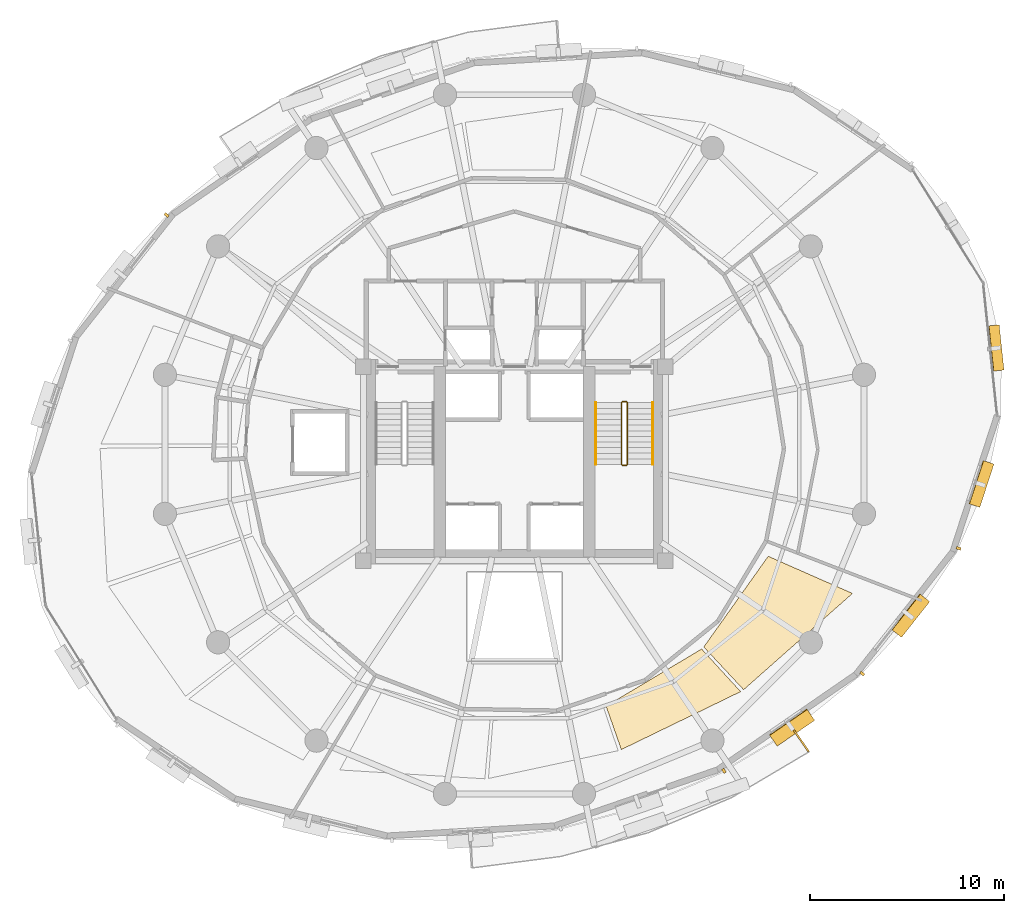
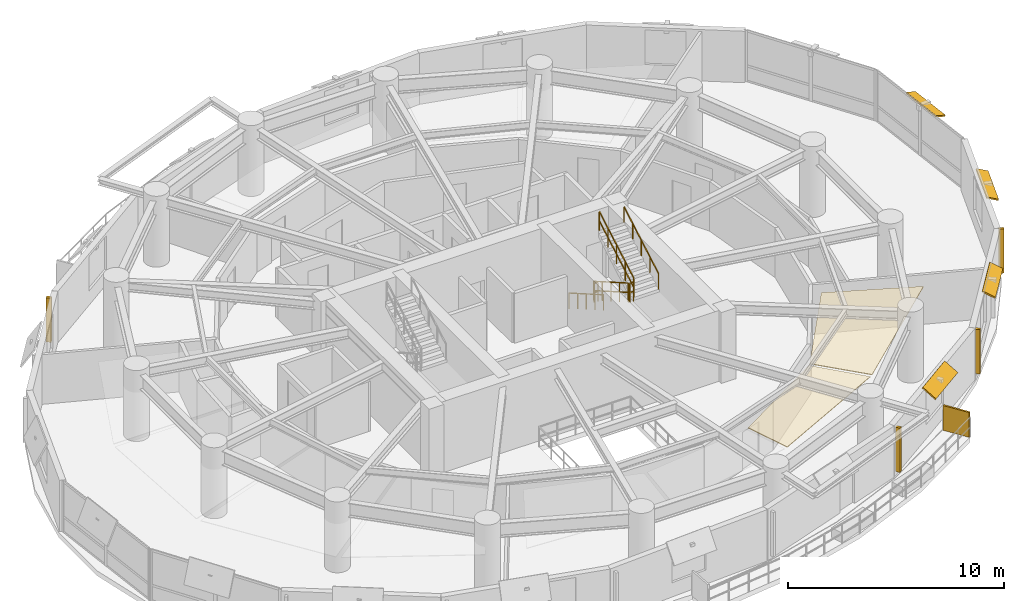
# One storey, part 14 of 15: 9 shading devices, 6 railings, 2 coverings.
"""IFC4 building model written with IfcOpenShell, lengths in metres."""

from ifc_helpers import new_model, si_unit, direction, frame, origin, origin_2d, place, context, subcontext, project, spatial, polyline, rectangle, outline, extrude, material, layer, layer_set, type_object, element, save


model = new_model("IFC4")

# Units and contexts
model_context = context("Model", 3, precision=1e-05, world=origin(), true_north=direction((0.0, 1.0)))
body_context = subcontext(model_context, "Body", "Model", "MODEL_VIEW")
ifc_project = project(units=[si_unit("LENGTHUNIT", "METRE"), si_unit("AREAUNIT", "SQUARE_METRE"), si_unit("VOLUMEUNIT", "CUBIC_METRE"), si_unit("PLANEANGLEUNIT", "RADIAN"), si_unit("MASSUNIT", "GRAM", prefix="KILO"), si_unit("THERMODYNAMICTEMPERATUREUNIT", "KELVIN"), si_unit("POWERUNIT", "WATT")], contexts=[model_context])

# Site, building, storey
site_placement = place(None, origin())
site = spatial("IfcSite", under=ifc_project, at=site_placement, CompositionType="ELEMENT")
building_placement = place(site_placement, origin())
building = spatial("IfcBuilding", under=site, at=building_placement, Name="Ocrelia Relay Tower", CompositionType="ELEMENT")
storey_placement = place(building_placement, frame((0.0, 0.0, 113.800048828125)))
storey = spatial("IfcBuildingStorey", under=building, at=storey_placement, Name="L26", CompositionType="ELEMENT", Elevation=113.800048828125)

# Coverings
ifc_material_1 = material(Name="Cleanroom metal-pan acoustic ceiling", Category="aluminium")
ifc_layer_1 = layer(ifc_material_1, 0.0400390625, Name="Cleanroom metal-pan acoustic ceiling")
ifc_layer_set_1 = layer_set([ifc_layer_1], Name="Cleanroom metal-pan acoustic ceiling")
covering_type = type_object("IfcCoveringType", Name="COV-CEIL-CLEAN", PredefinedType="CEILING", material=ifc_layer_set_1)
covering_1_placement = place(storey_placement, frame((0.0, 0.0, 2.719970703125)))
element("IfcCovering", 1, at=covering_1_placement, inside=storey, type_object=covering_type, Name="L26 Optical Switching Hall A Suspended Ceiling 3", PredefinedType="CEILING", context=body_context, shape_type="SweptSolid", body=[
    extrude(outline(polyline([(38.73291015625, 12.48486328125), (39.51953125, 10.23828125), (45.680419921875, 13.23095703125), (43.665283203125, 15.433837890625), (38.73291015625, 12.48486328125)])), origin(), (0.0, 0.0, 1.0), 0.0400390625),
])
covering_2_placement = place(storey_placement, frame((0.0, 0.0, 2.719970703125)))
element("IfcCovering", 2, at=covering_2_placement, inside=storey, type_object=covering_type, Name="L26 Optical Switching Hall A Suspended Ceiling 4", PredefinedType="CEILING", context=body_context, shape_type="SweptSolid", body=[
    extrude(outline(polyline([(43.775390625, 15.535400390625), (45.834716796875, 13.3310546875), (51.455078125, 18.301513671875), (47.102294921875, 20.22119140625), (43.775390625, 15.535400390625)])), origin(), (0.0, 0.0, 1.0), 0.0400390625),
])

# Railings
ifc_material_2 = material(Name="Steel S355 balustrade", Category="steel")
railing_type_1 = type_object("IfcRailingType", Name="RL-STAIR-GUARD", PredefinedType="GUARDRAIL", material=ifc_material_2)
railing_1_placement = place(storey_placement, frame((39.530029296875, 28.14990234375, 0.16650390625)))
element("IfcRailing", 3, at=railing_1_placement, inside=storey, type_object=railing_type_1, Name="L26 ST2 stair guard 1", PredefinedType="GUARDRAIL", context=body_context, shape_type="SweptSolid", body=[
    extrude(rectangle(XDim=0.048095703125, YDim=0.048095703125, at=origin_2d()), frame((0.0, 0.0, 1.076171875), z_axis=(0.0, -0.86699087805, 0.498324008431), x_axis=(1.0, 0.0, 0.0)), (0.0, 0.0, 1.0), 3.679443359375),
    extrude(rectangle(XDim=0.048095703125, YDim=0.048095703125, at=origin_2d()), frame((0.0, 0.0, 0.550048828125), z_axis=(0.0, -0.86699087805, 0.498324008431), x_axis=(1.0, 0.0, 0.0)), (0.0, 0.0, 1.0), 3.679443359375),
    extrude(rectangle(XDim=0.0419921875, YDim=0.0419921875, at=origin_2d()), origin(), (0.0, 0.0, 1.0), 1.052001953125),
    extrude(rectangle(XDim=0.0419921875, YDim=0.0419921875, at=origin_2d()), frame((0.0, -0.79736328125, 0.45849609375)), (0.0, 0.0, 1.0), 1.052001953125),
    extrude(rectangle(XDim=0.0419921875, YDim=0.0419921875, at=origin_2d()), frame((0.0, -1.594970703125, 0.916748046875)), (0.0, 0.0, 1.0), 1.052001953125),
    extrude(rectangle(XDim=0.0419921875, YDim=0.0419921875, at=origin_2d()), frame((0.0, -2.392578125, 1.375)), (0.0, 0.0, 1.0), 1.052001953125),
    extrude(rectangle(XDim=0.0419921875, YDim=0.0419921875, at=origin_2d()), frame((0.0, -3.18994140625, 1.83349609375)), (0.0, 0.0, 1.0), 1.052001953125),
])
railing_2_placement = place(storey_placement, frame((39.580078125, 24.909912109375, 2.0)))
element("IfcRailing", 4, at=railing_2_placement, inside=storey, type_object=railing_type_1, Name="L26 ST2 stair guard 2", PredefinedType="GUARDRAIL", context=body_context, shape_type="SweptSolid", body=[
    extrude(rectangle(XDim=0.048095703125, YDim=0.048095703125, at=origin_2d()), frame((0.0, 0.0, 1.076171875), z_axis=(1.0, 0.0, 0.0), x_axis=(0.0, 1.0, 0.0)), (0.0, 0.0, 1.0), 0.199951171875),
    extrude(rectangle(XDim=0.048095703125, YDim=0.048095703125, at=origin_2d()), frame((0.0, 0.0, 0.550048828125), z_axis=(1.0, 0.0, 0.0), x_axis=(0.0, 1.0, 0.0)), (0.0, 0.0, 1.0), 0.199951171875),
    extrude(rectangle(XDim=0.0419921875, YDim=0.0419921875, at=origin_2d()), origin(), (0.0, 0.0, 1.0), 1.052001953125),
    extrude(rectangle(XDim=0.0419921875, YDim=0.0419921875, at=origin_2d()), frame((0.199951171875, 0.0, 0.0)), (0.0, 0.0, 1.0), 1.052001953125),
])
railing_3_placement = place(storey_placement, frame((39.830078125, 24.9599609375, 2.16650390625)))
element("IfcRailing", 5, at=railing_3_placement, inside=storey, type_object=railing_type_1, Name="L26 ST2 stair guard 3", PredefinedType="GUARDRAIL", context=body_context, shape_type="SweptSolid", body=[
    extrude(rectangle(XDim=0.048095703125, YDim=0.048095703125, at=origin_2d()), frame((0.0, 0.0, 1.076171875), z_axis=(0.0, 0.86699087805, 0.498324008431), x_axis=(-1.0, 0.0, 0.0)), (0.0, 0.0, 1.0), 3.679443359375),
    extrude(rectangle(XDim=0.048095703125, YDim=0.048095703125, at=origin_2d()), frame((0.0, 0.0, 0.550048828125), z_axis=(0.0, 0.86699087805, 0.498324008431), x_axis=(-1.0, 0.0, 0.0)), (0.0, 0.0, 1.0), 3.679443359375),
    extrude(rectangle(XDim=0.0419921875, YDim=0.0419921875, at=origin_2d()), origin(), (0.0, 0.0, 1.0), 1.052001953125),
    extrude(rectangle(XDim=0.0419921875, YDim=0.0419921875, at=origin_2d()), frame((0.0, 0.79736328125, 0.45849609375)), (0.0, 0.0, 1.0), 1.052001953125),
    extrude(rectangle(XDim=0.0419921875, YDim=0.0419921875, at=origin_2d()), frame((0.0, 1.594970703125, 0.916748046875)), (0.0, 0.0, 1.0), 1.052001953125),
    extrude(rectangle(XDim=0.0419921875, YDim=0.0419921875, at=origin_2d()), frame((0.0, 2.392578125, 1.375)), (0.0, 0.0, 1.0), 1.052001953125),
    extrude(rectangle(XDim=0.0419921875, YDim=0.0419921875, at=origin_2d()), frame((0.0, 3.18994140625, 1.83349609375)), (0.0, 0.0, 1.0), 1.052001953125),
])
railing_4_placement = place(storey_placement, frame((39.580078125, 28.199951171875, 0.0)))
element("IfcRailing", 6, at=railing_4_placement, inside=storey, type_object=railing_type_1, Name="L26 ST2 stair guard 4", PredefinedType="GUARDRAIL", context=body_context, shape_type="SweptSolid", body=[
    extrude(rectangle(XDim=0.048095703125, YDim=0.048095703125, at=origin_2d()), frame((0.0, 0.0, 1.076171875), z_axis=(1.0, 0.0, 0.0), x_axis=(0.0, 1.0, 0.0)), (0.0, 0.0, 1.0), 0.199951171875),
    extrude(rectangle(XDim=0.048095703125, YDim=0.048095703125, at=origin_2d()), frame((0.0, 0.0, 0.550048828125), z_axis=(1.0, 0.0, 0.0), x_axis=(0.0, 1.0, 0.0)), (0.0, 0.0, 1.0), 0.199951171875),
    extrude(rectangle(XDim=0.0419921875, YDim=0.0419921875, at=origin_2d()), origin(), (0.0, 0.0, 1.0), 1.052001953125),
    extrude(rectangle(XDim=0.0419921875, YDim=0.0419921875, at=origin_2d()), frame((0.199951171875, 0.0, 0.0)), (0.0, 0.0, 1.0), 1.052001953125),
])
ifc_material_3 = material(Name="Steel S355 tubular handrail", Category="steel")
railing_type_2 = type_object("IfcRailingType", Name="RL-STAIR-HAND", PredefinedType="HANDRAIL", material=ifc_material_3)
railing_5_placement = place(storey_placement, frame((38.2099609375, 28.14990234375, 0.16650390625)))
element("IfcRailing", 7, at=railing_5_placement, inside=storey, type_object=railing_type_2, Name="L26 ST2 stair handrail 1", PredefinedType="HANDRAIL", context=body_context, shape_type="SweptSolid", body=[
    extrude(rectangle(XDim=0.048095703125, YDim=0.048095703125, at=origin_2d()), frame((0.0, 0.0, 0.8759765625), z_axis=(0.0, -0.86699087805, 0.498324008431), x_axis=(1.0, 0.0, 0.0)), (0.0, 0.0, 1.0), 3.679443359375),
    extrude(rectangle(XDim=0.0419921875, YDim=0.0419921875, at=origin_2d()), origin(), (0.0, 0.0, 1.0), 0.851806640625),
    extrude(rectangle(XDim=0.0419921875, YDim=0.0419921875, at=origin_2d()), frame((0.0, -0.79736328125, 0.45849609375)), (0.0, 0.0, 1.0), 0.851806640625),
    extrude(rectangle(XDim=0.0419921875, YDim=0.0419921875, at=origin_2d()), frame((0.0, -1.594970703125, 0.916748046875)), (0.0, 0.0, 1.0), 0.851806640625),
    extrude(rectangle(XDim=0.0419921875, YDim=0.0419921875, at=origin_2d()), frame((0.0, -2.392578125, 1.375)), (0.0, 0.0, 1.0), 0.851806640625),
    extrude(rectangle(XDim=0.0419921875, YDim=0.0419921875, at=origin_2d()), frame((0.0, -3.18994140625, 1.83349609375)), (0.0, 0.0, 1.0), 0.851806640625),
])
railing_6_placement = place(storey_placement, frame((41.14990234375, 24.9599609375, 2.16650390625)))
element("IfcRailing", 8, at=railing_6_placement, inside=storey, type_object=railing_type_2, Name="L26 ST2 stair handrail 2", PredefinedType="HANDRAIL", context=body_context, shape_type="SweptSolid", body=[
    extrude(rectangle(XDim=0.048095703125, YDim=0.048095703125, at=origin_2d()), frame((0.0, 0.0, 0.8759765625), z_axis=(0.0, 0.86699087805, 0.498324008431), x_axis=(-1.0, 0.0, 0.0)), (0.0, 0.0, 1.0), 3.679443359375),
    extrude(rectangle(XDim=0.0419921875, YDim=0.0419921875, at=origin_2d()), origin(), (0.0, 0.0, 1.0), 0.851806640625),
    extrude(rectangle(XDim=0.0419921875, YDim=0.0419921875, at=origin_2d()), frame((0.0, 0.79736328125, 0.45849609375)), (0.0, 0.0, 1.0), 0.851806640625),
    extrude(rectangle(XDim=0.0419921875, YDim=0.0419921875, at=origin_2d()), frame((0.0, 1.594970703125, 0.916748046875)), (0.0, 0.0, 1.0), 0.851806640625),
    extrude(rectangle(XDim=0.0419921875, YDim=0.0419921875, at=origin_2d()), frame((0.0, 2.392578125, 1.375)), (0.0, 0.0, 1.0), 0.851806640625),
    extrude(rectangle(XDim=0.0419921875, YDim=0.0419921875, at=origin_2d()), frame((0.0, 3.18994140625, 1.83349609375)), (0.0, 0.0, 1.0), 0.851806640625),
])

# Shading devices
ifc_material_4 = material(Name="Perforated oxide terracotta solar screen", Category="masonry")
ifc_layer_2 = layer(ifc_material_4, 0.090087890625, Name="Perforated oxide terracotta solar screen")
ifc_layer_set_2 = layer_set([ifc_layer_2], Name="Perforated oxide terracotta solar screen")
shading_device_type_1 = type_object("IfcShadingDeviceType", Name="SH-BALC-SCREEN", PredefinedType="USERDEFINED", material=ifc_layer_set_2)
shading_device_1_placement = place(storey_placement, frame((48.814208984375, 10.682861328125, 0.0), z_axis=(0.0, 0.0, 1.0), x_axis=(0.568631447089, -0.82259241267, 0.0)))
element("IfcShadingDevice", 9, at=shading_device_1_placement, inside=storey, type_object=shading_device_type_1, Name="L26 Balcony Perforated Terracotta Screen B2-2", ObjectType="SCREEN", PredefinedType="USERDEFINED", context=body_context, shape_type="SweptSolid", body=[
    extrude(rectangle(XDim=1.340087890625, YDim=0.090087890625, at=origin_2d()), origin(), (0.0, 0.0, 1.0), 1.39990234375),
])
ifc_material_5 = material(Name="Extruded oxide terracotta vertical baguette", Category="masonry")
shading_device_type_2 = type_object("IfcShadingDeviceType", Name="SH-TERR-BAGUETTE", PredefinedType="USERDEFINED", material=ifc_material_5)
for number, where, z_axis, x_axis, name in (
    (10, (16.0419921875, 37.836181640625, 0.199951171875), (0.0, 0.0, 1.0), (-0.61952171944, -0.78497951511, 0.0), "L26 Oxide Terracotta Vertical Baguette 07"),
    (11, (44.8154296875, 9.1435546875, 0.199951171875), (0.0, 0.0, 1.0), (0.823426792688, 0.567422520777, 0.0), "L26 Oxide Terracotta Vertical Baguette 15"),
    (12, (51.9580078125, 14.163818359375, 0.199951171875), (0.0, 0.0, 1.0), (0.61952171944, 0.78497951511, 0.0), "L26 Oxide Terracotta Vertical Baguette 16"),
    (13, (56.93701171875, 20.62939453125, 0.199951171875), (0.0, 0.0, 1.0), (0.309348521649, 0.950948732663, 0.0), "L26 Oxide Terracotta Vertical Baguette 17"),
):
    element("IfcShadingDevice", number, at=place(storey_placement, frame(where, z_axis=z_axis, x_axis=x_axis)), inside=storey, type_object=shading_device_type_2, Name=name, ObjectType="BAGUETTE", PredefinedType="USERDEFINED", context=body_context, shape_type="SweptSolid", body=[
        extrude(rectangle(XDim=0.139892578125, YDim=0.239990234375, at=origin_2d()), origin(), (0.0, 0.0, 1.0), 2.5),
    ])
ifc_material_6 = material(Name="Extruded oxide terracotta fin", Category="masonry")
ifc_layer_3 = layer(ifc_material_6, 0.080078125, Name="Extruded oxide terracotta fin")
ifc_layer_set_3 = layer_set([ifc_layer_3], Name="Extruded oxide terracotta fin")
shading_device_type_3 = type_object("IfcShadingDeviceType", Name="SH-VISOR-FIN-MED", PredefinedType="USERDEFINED", material=ifc_layer_set_3)
shading_device_2_placement = place(storey_placement, frame((48.317626953125, 11.398193359375, 2.706787109375), z_axis=(0.317462833222, -0.460692681355, 0.828842326905), x_axis=(0.823426792688, 0.567422520777, 0.0)))
element("IfcShadingDevice", 14, at=shading_device_2_placement, inside=storey, type_object=shading_device_type_3, Name="L26 Canted Terracotta Sun-Visor Fin 15", ObjectType="FIN", PredefinedType="USERDEFINED", context=body_context, shape_type="SweptSolid", body=[
    extrude(rectangle(XDim=2.35009765625, YDim=0.81689453125, at=origin_2d()), origin(), (0.0, 0.0, 1.0), 0.080078125),
])
ifc_layer_4 = layer(ifc_material_6, 0.080078125, Name="Extruded oxide terracotta fin")
ifc_layer_set_4 = layer_set([ifc_layer_4], Name="Extruded oxide terracotta fin")
shading_device_type_4 = type_object("IfcShadingDeviceType", Name="SH-VISOR-FIN-SHAL", PredefinedType="USERDEFINED", material=ifc_layer_set_4)
shading_device_3_placement = place(storey_placement, frame((54.445068359375, 17.166748046875, 2.7041015625), z_axis=(0.344851015864, -0.272163400683, 0.898334492373), x_axis=(0.61952171944, 0.78497951511, 0.0)))
element("IfcShadingDevice", 15, at=shading_device_3_placement, inside=storey, type_object=shading_device_type_4, Name="L26 Canted Terracotta Sun-Visor Fin 16", ObjectType="FIN", PredefinedType="USERDEFINED", context=body_context, shape_type="SweptSolid", body=[
    extrude(rectangle(XDim=2.35009765625, YDim=0.68408203125, at=origin_2d()), origin(), (0.0, 0.0, 1.0), 0.080078125),
])
shading_device_4_placement = place(storey_placement, frame((58.10009765625, 23.95947265625, 2.70263671875), z_axis=(0.343576926637, -0.111767344208, 0.932449975201), x_axis=(0.309348521649, 0.950948732663, 0.0)))
element("IfcShadingDevice", 16, at=shading_device_4_placement, inside=storey, type_object=shading_device_type_4, Name="L26 Canted Terracotta Sun-Visor Fin 17", ObjectType="FIN", PredefinedType="USERDEFINED", context=body_context, shape_type="SweptSolid", body=[
    extrude(rectangle(XDim=2.35009765625, YDim=0.60302734375, at=origin_2d()), origin(), (0.0, 0.0, 1.0), 0.080078125),
])
shading_device_5_placement = place(storey_placement, frame((58.864990234375, 30.974853515625, 2.7021484375), z_axis=(0.318509926234, 0.033648168937, 0.947322135083), x_axis=(-0.105057836614, 0.994466113533, 0.0)))
element("IfcShadingDevice", 17, at=shading_device_5_placement, inside=storey, type_object=shading_device_type_4, Name="L26 Canted Terracotta Sun-Visor Fin 18", ObjectType="FIN", PredefinedType="USERDEFINED", context=body_context, shape_type="SweptSolid", body=[
    extrude(rectangle(XDim=2.35009765625, YDim=0.56103515625, at=origin_2d()), origin(), (0.0, 0.0, 1.0), 0.080078125),
])

save(model, "model.ifc")
